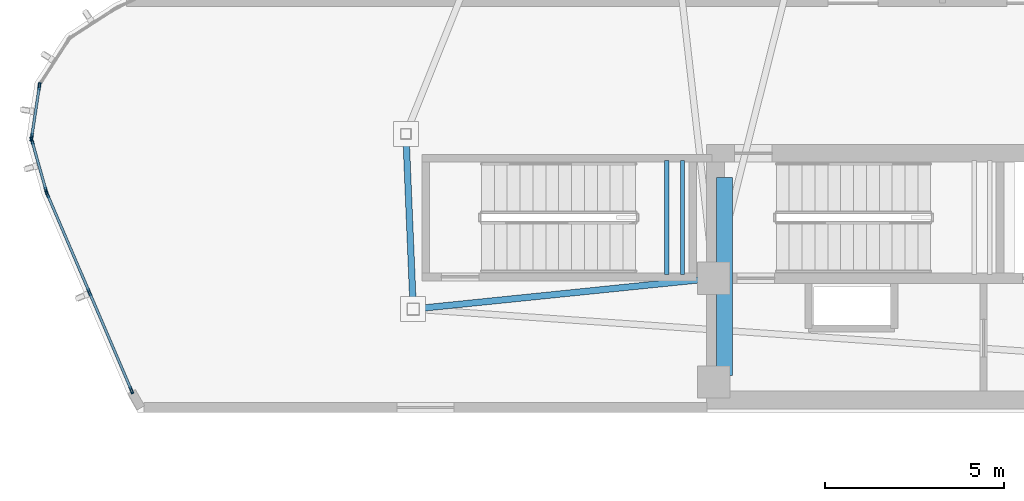
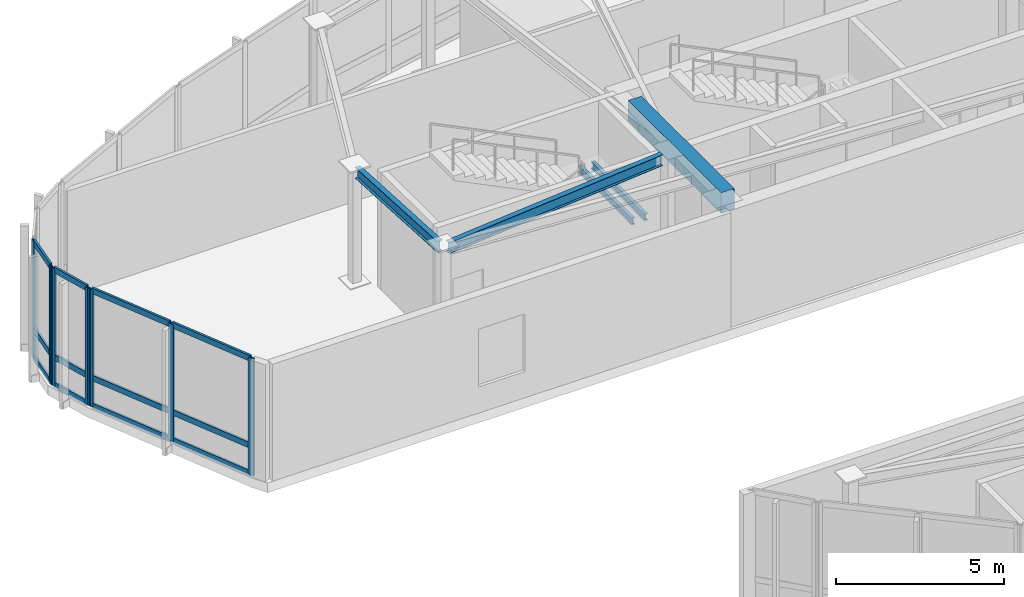
# One storey, part 3 of 15: 19 members, 5 beams, 3 elements without a shape of their own.
"""IFC4 building model written with IfcOpenShell, lengths in metres."""

from ifc_helpers import new_model, si_unit, direction, frame, origin, origin_2d, place, context, subcontext, project, spatial, rectangle, hollow_rectangle, i_section, extrude, source, transform, mapped, material, layer, layer_set, material_profile, profile_set, type_object, type_shapes, element, aggregate, save


model = new_model("IFC4")

# Units and contexts
model_context = context("Model", 3, precision=1e-05, world=origin(), true_north=direction((0.0, 1.0)))
body_context = subcontext(model_context, "Body", "Model", "MODEL_VIEW")
ifc_project = project(units=[si_unit("LENGTHUNIT", "METRE"), si_unit("AREAUNIT", "SQUARE_METRE"), si_unit("VOLUMEUNIT", "CUBIC_METRE"), si_unit("PLANEANGLEUNIT", "RADIAN"), si_unit("MASSUNIT", "GRAM", prefix="KILO")], contexts=[model_context])

# Site, building, storey
site_placement = place(None, origin())
site = spatial("IfcSite", under=ifc_project, at=site_placement, CompositionType="ELEMENT")
building_placement = place(site_placement, origin())
building = spatial("IfcBuilding", under=site, at=building_placement, Name="Tavelor Broadcast Tower", CompositionType="ELEMENT")
storey_placement = place(building_placement, frame((0.0, 0.0, 341.300048828125)))
storey = spatial("IfcBuildingStorey", under=building, at=storey_placement, Name="L81", CompositionType="ELEMENT", Elevation=341.300048828125)

# Beams
ifc_material_1 = material(Name="Concrete C40/50", Category="concrete")
ifc_material_profile_1 = material_profile(ifc_material_1, rectangle(XDim=0.449951171875, YDim=0.75, at=origin_2d()), Name="RC 450x750")
ifc_profile_set_1 = profile_set([ifc_material_profile_1], Name="Concrete C40/50")
beam_type_1 = type_object("IfcBeamType", Name="Basement Core Trim Beam 450x750", PredefinedType="BEAM", material=ifc_profile_set_1)
beam_1_placement = place(storey_placement, frame((43.39990234375, 45.23193359375, 3.875), z_axis=(0.0, 1.0, 0.0), x_axis=(-1.0, 0.0, 0.0)))
element("IfcBeam", 1, at=beam_1_placement, inside=storey, type_object=beam_type_1, Name="L81 Core West-N Tie Girder", PredefinedType="BEAM", context=body_context, shape_type="SweptSolid", body=[
    extrude(rectangle(XDim=0.449951171875, YDim=0.75, at=origin_2d()), origin(), (0.0, 0.0, 1.0), 5.5361328125),
])
ifc_material_2 = material(Name="Steel S355", Category="steel")
ifc_material_profile_2 = material_profile(ifc_material_2, i_section(OverallWidth=0.179931640625, OverallDepth=0.39990234375, WebThickness=0.008544921875, FlangeThickness=0.013427734375, at=origin_2d()), Name="IPE 400")
ifc_profile_set_2 = profile_set([ifc_material_profile_2], Name="Steel S355")
beam_type_2 = type_object("IfcBeamType", Name="Crown Ring Spandrel Beam IPE400", PredefinedType="SPANDREL", material=ifc_profile_set_2)
beam_2_placement = place(storey_placement, frame((34.49169921875, 51.836181640625, 4.050048828125), z_axis=(0.04186598698, -0.999123235209, 0.0), x_axis=(0.999123235209, 0.04186598698, 0.0)))
element("IfcBeam", 2, at=beam_2_placement, inside=storey, type_object=beam_type_2, Name="L81 Crown Peak A Ring Spandrel 2", PredefinedType="SPANDREL", context=body_context, shape_type="SweptSolid", body=[
    extrude(i_section(OverallWidth=0.179931640625, OverallDepth=0.39990234375, WebThickness=0.008544921875, FlangeThickness=0.013427734375, at=origin_2d()), origin(), (0.0, 0.0, 1.0), 4.57177734375),
])
beam_3_placement = place(storey_placement, frame((42.670166015625, 47.906005859375, 4.050048828125), z_axis=(-0.994811533422, -0.101735013494, 0.0), x_axis=(0.101735013494, -0.994811533422, 0.0)))
element("IfcBeam", 3, at=beam_3_placement, inside=storey, type_object=beam_type_2, Name="L81 Crown Peak A Radial Beam 3", PredefinedType="SPANDREL", context=body_context, shape_type="SweptSolid", body=[
    extrude(i_section(OverallWidth=0.179931640625, OverallDepth=0.39990234375, WebThickness=0.008544921875, FlangeThickness=0.013427734375, at=origin_2d()), origin(), (0.0, 0.0, 1.0), 7.842529296875),
])
ifc_material_profile_3 = material_profile(ifc_material_2, i_section(OverallWidth=0.1201171875, OverallDepth=0.239990234375, WebThickness=0.006103515625, FlangeThickness=0.009765625, at=origin_2d()), Name="IPE 240")
ifc_profile_set_3 = profile_set([ifc_material_profile_3], Name="Steel S355")
beam_type_3 = type_object("IfcBeamType", Name="Stairwell Landing Support Trimmer Beam IPE240", PredefinedType="BEAM", material=ifc_profile_set_3)
for number, where, z_axis, x_axis, name in (
    (4, (41.784912109375, 48.06005859375, 1.98486328125), (0.0, 1.0, 0.0), (-1.0, 0.0, 0.0), "L81 Stair Landing Support Beam 477"),
    (5, (42.22509765625, 48.06005859375, 1.98486328125), (0.0, 1.0, 0.0), (-1.0, 0.0, 0.0), "L81 Stair Landing Support Beam 478"),
):
    element("IfcBeam", number, at=place(storey_placement, frame(where, z_axis=z_axis, x_axis=x_axis)), inside=storey, type_object=beam_type_3, Name=name, PredefinedType="BEAM", context=body_context, shape_type="SweptSolid", body=[
        extrude(i_section(OverallWidth=0.1201171875, OverallDepth=0.239990234375, WebThickness=0.006103515625, FlangeThickness=0.009765625, at=origin_2d()), origin(), (0.0, 0.0, 1.0), 3.179931640625),
    ])

# Curtain wall, members
ifc_material_3 = material(Name="Architectural Anodized Aluminium", Category="aluminium")
ifc_layer = layer(ifc_material_3, 0.2099609375)
ifc_layer_set = layer_set([ifc_layer], Name="Architectural Anodized Aluminium")
curtain_wall_type = type_object("IfcCurtainWallType", Name="Split-Crown Beacon Curtain Wall CW06", PredefinedType="NOTDEFINED", material=ifc_layer_set)
curtain_wall_1_placement = place(storey_placement, origin())
curtain_wall_1 = element("IfcCurtainWall", 6, at=curtain_wall_1_placement, inside=storey, type_object=curtain_wall_type, Name="L81 Curtain Wall CW06 Run 943", PredefinedType="NOTDEFINED")
ifc_material_profile_4 = material_profile(ifc_material_3, hollow_rectangle(XDim=0.072021484375, YDim=0.2099609375, WallThickness=0.02197265625, at=origin_2d()), Name="RHS 72x210x22")
ifc_profile_set_4 = profile_set([ifc_material_profile_4], Name="Architectural Anodized Aluminium")
member_type_1 = type_object("IfcMemberType", Name="CW06 Extruded Aluminium Mullion 72x210", PredefinedType="MULLION", material=ifc_profile_set_4)
shared_shape_1 = source(origin(), body_context, "Body", "SweptSolid", [
    extrude(hollow_rectangle(XDim=0.072021484375, YDim=0.2099609375, WallThickness=0.02197265625, at=origin_2d()), origin(), (0.0, 0.0, 1.0), 4.25),
])
type_shapes(member_type_1, [shared_shape_1])
member_1_placement = place(storey_placement, frame((24.229736328125, 53.32421875, 0.0), z_axis=(0.0, 0.0, 1.0), x_axis=(0.988887239749, -0.148667505063, 0.0)))
member_1 = element("IfcMember", 7, at=member_1_placement, type_object=member_type_1, Name="CW06 mullion 1", PredefinedType="MULLION", context=body_context, shape_type="MappedRepresentation", body=[
    mapped(shared_shape_1, transform((0.0, 0.0, 0.0), scale=1.0)),
])
member_2_placement = place(storey_placement, frame((24.015869140625, 51.902099609375, 0.0), z_axis=(0.0, 0.0, 1.0), x_axis=(0.988887239749, -0.148667505063, 0.0)))
member_2 = element("IfcMember", 8, at=member_2_placement, type_object=member_type_1, Name="CW06 mullion 2", PredefinedType="MULLION", context=body_context, shape_type="MappedRepresentation", body=[
    mapped(shared_shape_1, transform((0.0, 0.0, 0.0), scale=1.0)),
])

curtain_wall_2_placement = place(storey_placement, origin())
curtain_wall_2 = element("IfcCurtainWall", 9, at=curtain_wall_2_placement, inside=storey, type_object=curtain_wall_type, Name="L81 Curtain Wall CW06 Run 944", PredefinedType="NOTDEFINED")
member_3_placement = place(storey_placement, frame((24.02197265625, 51.802490234375, 0.0), z_axis=(0.0, 0.0, 1.0), x_axis=(0.962447488557, 0.271467920334, 0.0)))
member_3 = element("IfcMember", 10, at=member_3_placement, type_object=member_type_1, Name="CW06 mullion 1", PredefinedType="MULLION", context=body_context, shape_type="MappedRepresentation", body=[
    mapped(shared_shape_1, transform((0.0, 0.0, 0.0), scale=1.0)),
])
member_4_placement = place(storey_placement, frame((24.418212890625, 50.39794921875, 0.0), z_axis=(0.0, 0.0, 1.0), x_axis=(0.962447488557, 0.271467920334, 0.0)))
member_4 = element("IfcMember", 11, at=member_4_placement, type_object=member_type_1, Name="CW06 mullion 2", PredefinedType="MULLION", context=body_context, shape_type="MappedRepresentation", body=[
    mapped(shared_shape_1, transform((0.0, 0.0, 0.0), scale=1.0)),
])

curtain_wall_3_placement = place(storey_placement, origin())
curtain_wall_3 = element("IfcCurtainWall", 12, at=curtain_wall_3_placement, inside=storey, type_object=curtain_wall_type, Name="L81 Curtain Wall CW06 Run 945", PredefinedType="NOTDEFINED")
member_5_placement = place(storey_placement, frame((24.4521484375, 50.302001953125, 0.0), z_axis=(0.0, 0.0, 1.0), x_axis=(0.91900438951, 0.394247298102, 0.0)))
member_5 = element("IfcMember", 13, at=member_5_placement, type_object=member_type_1, Name="CW06 mullion 1", PredefinedType="MULLION", context=body_context, shape_type="MappedRepresentation", body=[
    mapped(shared_shape_1, transform((0.0, 0.0, 0.0), scale=1.0)),
])
member_6_placement = place(storey_placement, frame((25.62744140625, 47.5625, 0.0), z_axis=(0.0, 0.0, 1.0), x_axis=(0.91900438951, 0.394247298102, 0.0)))
member_6 = element("IfcMember", 14, at=member_6_placement, type_object=member_type_1, Name="CW06 mullion 2", PredefinedType="MULLION", context=body_context, shape_type="MappedRepresentation", body=[
    mapped(shared_shape_1, transform((0.0, 0.0, 0.0), scale=1.0)),
])
member_7_placement = place(storey_placement, frame((26.802734375, 44.822998046875, 0.0), z_axis=(0.0, 0.0, 1.0), x_axis=(0.91900438951, 0.394247298102, 0.0)))
member_7 = element("IfcMember", 15, at=member_7_placement, type_object=member_type_1, Name="CW06 mullion 3", PredefinedType="MULLION", context=body_context, shape_type="MappedRepresentation", body=[
    mapped(shared_shape_1, transform((0.0, 0.0, 0.0), scale=1.0)),
])

# Member
ifc_material_profile_5 = material_profile(ifc_material_3, hollow_rectangle(XDim=0.072021484375, YDim=0.2099609375, WallThickness=0.02197265625, at=origin_2d()), Name="RHS 72x210x22")
ifc_profile_set_5 = profile_set([ifc_material_profile_5], Name="Architectural Anodized Aluminium")
member_type_2 = type_object("IfcMemberType", Name="CW06 Extruded Aluminium Transom 72x210", PredefinedType="USERDEFINED", material=ifc_profile_set_5)
shared_shape_2 = source(origin(), body_context, "Body", "SweptSolid", [
    extrude(hollow_rectangle(XDim=0.072021484375, YDim=0.2099609375, WallThickness=0.02197265625, at=origin_2d()), origin(), (0.0, 0.0, 1.0), 1.3662109375),
])
member_8_placement = place(storey_placement, frame((24.224365234375, 53.28857421875, 0.035888671875), z_axis=(-0.148672490049, -0.988886490302, 0.0), x_axis=(0.988886490302, -0.148672490049, 0.0)))
member_8 = element("IfcMember", 16, at=member_8_placement, type_object=member_type_2, Name="CW06 transom 1.1", ObjectType="TRANSOM", PredefinedType="USERDEFINED", context=body_context, shape_type="MappedRepresentation", body=[
    mapped(shared_shape_2, transform((0.0, 0.0, 0.0), scale=1.0)),
])

member_9_placement = place(storey_placement, frame((24.224365234375, 53.28857421875, 1.050048828125), z_axis=(-0.148672490049, -0.988886490302, 0.0), x_axis=(0.988886490302, -0.148672490049, 0.0)))
member_9 = element("IfcMember", 17, at=member_9_placement, type_object=member_type_2, Name="CW06 transom 1.2", ObjectType="TRANSOM", PredefinedType="USERDEFINED", context=body_context, shape_type="MappedRepresentation", body=[
    mapped(shared_shape_2, transform((0.0, 0.0, 0.0), scale=1.0)),
])

member_10_placement = place(storey_placement, frame((24.224365234375, 53.28857421875, 4.2138671875), z_axis=(-0.148672490049, -0.988886490302, 0.0), x_axis=(0.988886490302, -0.148672490049, 0.0)))
member_10 = element("IfcMember", 18, at=member_10_placement, type_object=member_type_2, Name="CW06 transom 1.3", ObjectType="TRANSOM", PredefinedType="USERDEFINED", context=body_context, shape_type="MappedRepresentation", body=[
    mapped(shared_shape_2, transform((0.0, 0.0, 0.0), scale=1.0)),
])

aggregate(curtain_wall_1, [member_1, member_2, member_8, member_9, member_10])

shared_shape_3 = source(origin(), body_context, "Body", "SweptSolid", [
    extrude(hollow_rectangle(XDim=0.072021484375, YDim=0.2099609375, WallThickness=0.02197265625, at=origin_2d()), origin(), (0.0, 0.0, 1.0), 2.908935546875),
])
member_11_placement = place(storey_placement, frame((24.46630859375, 50.26904296875, 0.035888671875), z_axis=(0.394283911176, -0.91898868186, 0.0), x_axis=(0.91898868186, 0.394283911176, 0.0)))
member_11 = element("IfcMember", 19, at=member_11_placement, type_object=member_type_2, Name="CW06 transom 1.1", ObjectType="TRANSOM", PredefinedType="USERDEFINED", context=body_context, shape_type="MappedRepresentation", body=[
    mapped(shared_shape_3, transform((0.0, 0.0, 0.0), scale=1.0)),
])

member_12_placement = place(storey_placement, frame((24.46630859375, 50.26904296875, 1.050048828125), z_axis=(0.394283911176, -0.91898868186, 0.0), x_axis=(0.91898868186, 0.394283911176, 0.0)))
member_12 = element("IfcMember", 20, at=member_12_placement, type_object=member_type_2, Name="CW06 transom 1.2", ObjectType="TRANSOM", PredefinedType="USERDEFINED", context=body_context, shape_type="MappedRepresentation", body=[
    mapped(shared_shape_3, transform((0.0, 0.0, 0.0), scale=1.0)),
])

member_13_placement = place(storey_placement, frame((24.46630859375, 50.26904296875, 4.2138671875), z_axis=(0.394283911176, -0.91898868186, 0.0), x_axis=(0.91898868186, 0.394283911176, 0.0)))
member_13 = element("IfcMember", 21, at=member_13_placement, type_object=member_type_2, Name="CW06 transom 1.3", ObjectType="TRANSOM", PredefinedType="USERDEFINED", context=body_context, shape_type="MappedRepresentation", body=[
    mapped(shared_shape_3, transform((0.0, 0.0, 0.0), scale=1.0)),
])

shared_shape_4 = source(origin(), body_context, "Body", "SweptSolid", [
    extrude(hollow_rectangle(XDim=0.072021484375, YDim=0.2099609375, WallThickness=0.02197265625, at=origin_2d()), origin(), (0.0, 0.0, 1.0), 1.387451171875),
])
member_14_placement = place(storey_placement, frame((24.03173828125, 51.767822265625, 0.035888671875), z_axis=(0.271535399983, -0.962428452695, 0.0), x_axis=(0.962428452695, 0.271535399983, 0.0)))
member_14 = element("IfcMember", 22, at=member_14_placement, type_object=member_type_2, Name="CW06 transom 1.1", ObjectType="TRANSOM", PredefinedType="USERDEFINED", context=body_context, shape_type="MappedRepresentation", body=[
    mapped(shared_shape_4, transform((0.0, 0.0, 0.0), scale=1.0)),
])

member_15_placement = place(storey_placement, frame((24.03173828125, 51.767822265625, 1.050048828125), z_axis=(0.271535399983, -0.962428452695, 0.0), x_axis=(0.962428452695, 0.271535399983, 0.0)))
member_15 = element("IfcMember", 23, at=member_15_placement, type_object=member_type_2, Name="CW06 transom 1.2", ObjectType="TRANSOM", PredefinedType="USERDEFINED", context=body_context, shape_type="MappedRepresentation", body=[
    mapped(shared_shape_4, transform((0.0, 0.0, 0.0), scale=1.0)),
])

member_16_placement = place(storey_placement, frame((24.03173828125, 51.767822265625, 4.2138671875), z_axis=(0.271535399983, -0.962428452695, 0.0), x_axis=(0.962428452695, 0.271535399983, 0.0)))
member_16 = element("IfcMember", 24, at=member_16_placement, type_object=member_type_2, Name="CW06 transom 1.3", ObjectType="TRANSOM", PredefinedType="USERDEFINED", context=body_context, shape_type="MappedRepresentation", body=[
    mapped(shared_shape_4, transform((0.0, 0.0, 0.0), scale=1.0)),
])

aggregate(curtain_wall_2, [member_3, member_4, member_14, member_15, member_16])

shared_shape_5 = source(origin(), body_context, "Body", "SweptSolid", [
    extrude(hollow_rectangle(XDim=0.072021484375, YDim=0.2099609375, WallThickness=0.02197265625, at=origin_2d()), origin(), (0.0, 0.0, 1.0), 2.9091796875),
])
type_shapes(member_type_2, [shared_shape_2, shared_shape_3, shared_shape_4, shared_shape_5])
member_17_placement = place(storey_placement, frame((25.6416015625, 47.529541015625, 0.035888671875), z_axis=(0.394253503387, -0.919001727456, 0.0), x_axis=(0.919001727456, 0.394253503387, 0.0)))
member_17 = element("IfcMember", 25, at=member_17_placement, type_object=member_type_2, Name="CW06 transom 2.1", ObjectType="TRANSOM", PredefinedType="USERDEFINED", context=body_context, shape_type="MappedRepresentation", body=[
    mapped(shared_shape_5, transform((0.0, 0.0, 0.0), scale=1.0)),
])

member_18_placement = place(storey_placement, frame((25.6416015625, 47.529541015625, 1.050048828125), z_axis=(0.394253503387, -0.919001727456, 0.0), x_axis=(0.919001727456, 0.394253503387, 0.0)))
member_18 = element("IfcMember", 26, at=member_18_placement, type_object=member_type_2, Name="CW06 transom 2.2", ObjectType="TRANSOM", PredefinedType="USERDEFINED", context=body_context, shape_type="MappedRepresentation", body=[
    mapped(shared_shape_5, transform((0.0, 0.0, 0.0), scale=1.0)),
])

member_19_placement = place(storey_placement, frame((25.6416015625, 47.529541015625, 4.2138671875), z_axis=(0.394253503387, -0.919001727456, 0.0), x_axis=(0.919001727456, 0.394253503387, 0.0)))
member_19 = element("IfcMember", 27, at=member_19_placement, type_object=member_type_2, Name="CW06 transom 2.3", ObjectType="TRANSOM", PredefinedType="USERDEFINED", context=body_context, shape_type="MappedRepresentation", body=[
    mapped(shared_shape_5, transform((0.0, 0.0, 0.0), scale=1.0)),
])

aggregate(curtain_wall_3, [member_5, member_6, member_7, member_11, member_12, member_13, member_17, member_18, member_19])

save(model, "model.ifc")
